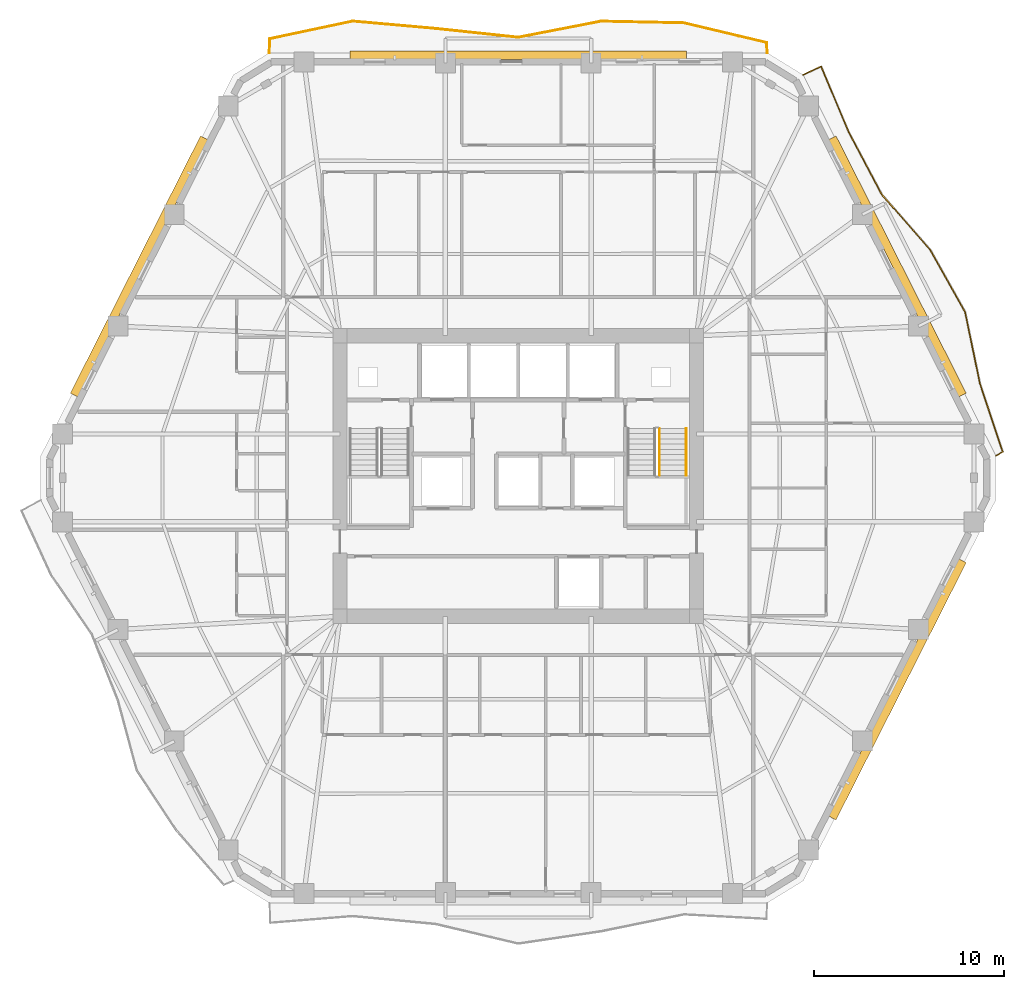
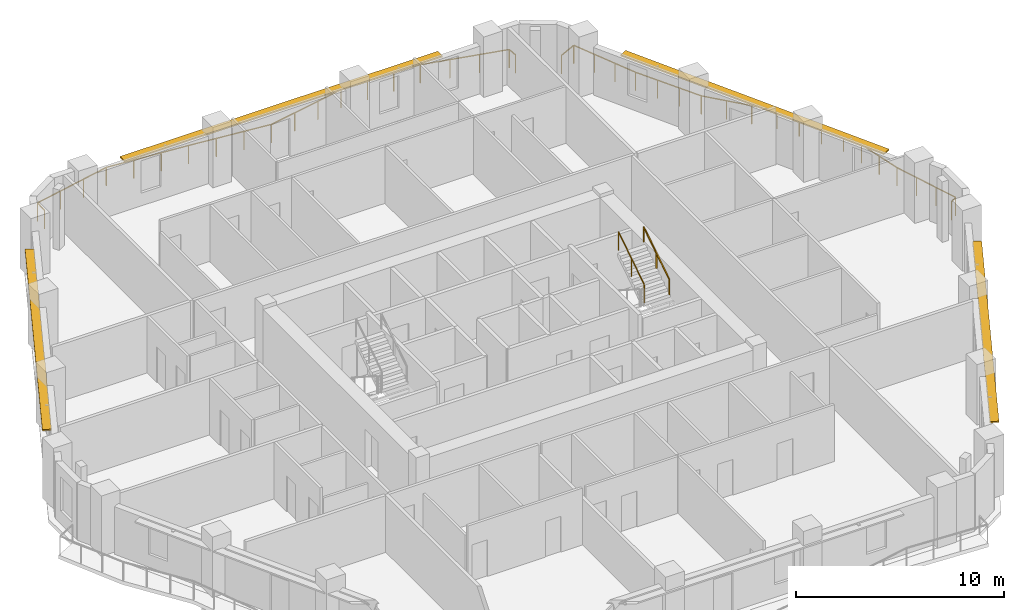
# One storey, part 12 of 12: 4 railings, 4 shading devices.
"""IFC4 building model written with IfcOpenShell, lengths in metres."""

from ifc_helpers import new_model, si_unit, direction, frame, origin, origin_2d, place, context, subcontext, project, spatial, rectangle, extrude, material, layer, layer_set, type_object, element, save


model = new_model("IFC4")

# Units and contexts
model_context = context("Model", 3, precision=1e-05, world=origin(), true_north=direction((0.0, 1.0)))
body_context = subcontext(model_context, "Body", "Model", "MODEL_VIEW")
ifc_project = project(units=[si_unit("LENGTHUNIT", "METRE"), si_unit("AREAUNIT", "SQUARE_METRE"), si_unit("VOLUMEUNIT", "CUBIC_METRE"), si_unit("PLANEANGLEUNIT", "RADIAN"), si_unit("MASSUNIT", "GRAM", prefix="KILO")], contexts=[model_context])

# Site, building, storey
site_placement = place(None, origin())
site = spatial("IfcSite", under=ifc_project, at=site_placement, CompositionType="ELEMENT")
building_placement = place(site_placement, origin())
building = spatial("IfcBuilding", under=site, at=building_placement, Name="Cinnabar Lancet Tower", CompositionType="ELEMENT")
storey_placement = place(building_placement, frame((0.0, 0.0, 112.60009765625)))
storey = spatial("IfcBuildingStorey", under=building, at=storey_placement, Name="L29", CompositionType="ELEMENT", Elevation=112.60009765625)

# Railings
ifc_material_1 = material(Name="Laminated safety glass and bronze stainless steel balustrade", Category="steel")
railing_type_1 = type_object("IfcRailingType", Name="ENV-RLG-BAL-1100", PredefinedType="BALUSTRADE", material=ifc_material_1)
railing_1_placement = place(storey_placement, frame((57.512939453125, 26.9599609375, 0.0)))
element("IfcRailing", 1, at=railing_1_placement, inside=storey, type_object=railing_type_1, Name="L29 Face 3 Wave Balcony Balustrade", PredefinedType="BALUSTRADE", context=body_context, shape_type="SweptSolid", body=[
    extrude(rectangle(XDim=0.048095703125, YDim=0.048095703125, at=origin_2d()), frame((0.0, 0.0, 1.076171875), z_axis=(0.859676249341, 0.51083925683, 0.0), x_axis=(-0.51083925683, 0.859676249341, 0.0)), (0.0, 0.0, 1.0), 0.412841796875),
    extrude(rectangle(XDim=0.048095703125, YDim=0.048095703125, at=origin_2d()), frame((0.35498046875, 0.2109375, 1.076171875), z_axis=(-0.316732525846, 0.948514895545, 0.0), x_axis=(-0.948514895545, -0.316732525846, 0.0)), (0.0, 0.0, 1.0), 3.7724609375),
    extrude(rectangle(XDim=0.048095703125, YDim=0.048095703125, at=origin_2d()), frame((-0.83984375, 3.7890625, 1.076171875), z_axis=(-0.203169603881, 0.979143560495, 0.0), x_axis=(-0.979143560495, -0.203169603881, 0.0)), (0.0, 0.0, 1.0), 3.864501953125),
    extrude(rectangle(XDim=0.048095703125, YDim=0.048095703125, at=origin_2d()), frame((-1.625, 7.572998046875, 1.076171875), z_axis=(-0.489512952447, 0.871996026016, 0.0), x_axis=(-0.871996026016, -0.489512952447, 0.0)), (0.0, 0.0, 1.0), 3.734130859375),
    extrude(rectangle(XDim=0.048095703125, YDim=0.048095703125, at=origin_2d()), frame((-3.452880859375, 10.8291015625, 1.076171875), z_axis=(-0.659249250359, 0.751924481515, 0.0), x_axis=(-0.751924481515, -0.659249250359, 0.0)), (0.0, 0.0, 1.0), 3.8515625),
    extrude(rectangle(XDim=0.048095703125, YDim=0.048095703125, at=origin_2d()), frame((-5.991943359375, 13.72509765625, 1.076171875), z_axis=(-0.468957497926, 0.883220734097, 0.0), x_axis=(-0.883220734097, -0.468957497926, 0.0)), (0.0, 0.0, 1.0), 3.731689453125),
    extrude(rectangle(XDim=0.048095703125, YDim=0.048095703125, at=origin_2d()), frame((-7.741943359375, 17.02099609375, 1.076171875), z_axis=(-0.38657815849, 0.922256649409, 0.0), x_axis=(-0.922256649409, -0.38657815849, 0.0)), (0.0, 0.0, 1.0), 3.7431640625),
    extrude(rectangle(XDim=0.048095703125, YDim=0.048095703125, at=origin_2d()), frame((-9.18896484375, 20.47314453125, 1.076171875), z_axis=(-0.905416796259, -0.424523762648, 0.0), x_axis=(0.424523762648, -0.905416796259, 0.0)), (0.0, 0.0, 1.0), 1.043701171875),
    extrude(rectangle(XDim=0.0419921875, YDim=0.0419921875, at=origin_2d()), origin(), (0.0, 0.0, 1.0), 1.052001953125),
    extrude(rectangle(XDim=0.0419921875, YDim=0.0419921875, at=origin_2d()), frame((0.35498046875, 0.2109375, 0.0)), (0.0, 0.0, 1.0), 1.052001953125),
    extrude(rectangle(XDim=0.0419921875, YDim=0.0419921875, at=origin_2d()), frame((-0.043212890625, 1.403564453125, 0.0)), (0.0, 0.0, 1.0), 1.052001953125),
    extrude(rectangle(XDim=0.0419921875, YDim=0.0419921875, at=origin_2d()), frame((-0.441650390625, 2.596435546875, 0.0)), (0.0, 0.0, 1.0), 1.052001953125),
    extrude(rectangle(XDim=0.0419921875, YDim=0.0419921875, at=origin_2d()), frame((-0.83984375, 3.7890625, 0.0)), (0.0, 0.0, 1.0), 1.052001953125),
    extrude(rectangle(XDim=0.0419921875, YDim=0.0419921875, at=origin_2d()), frame((-1.1015625, 5.05029296875, 0.0)), (0.0, 0.0, 1.0), 1.052001953125),
    extrude(rectangle(XDim=0.0419921875, YDim=0.0419921875, at=origin_2d()), frame((-1.36328125, 6.311767578125, 0.0)), (0.0, 0.0, 1.0), 1.052001953125),
    extrude(rectangle(XDim=0.0419921875, YDim=0.0419921875, at=origin_2d()), frame((-1.625, 7.572998046875, 0.0)), (0.0, 0.0, 1.0), 1.052001953125),
    extrude(rectangle(XDim=0.0419921875, YDim=0.0419921875, at=origin_2d()), frame((-2.234375, 8.658447265625, 0.0)), (0.0, 0.0, 1.0), 1.052001953125),
    extrude(rectangle(XDim=0.0419921875, YDim=0.0419921875, at=origin_2d()), frame((-2.843505859375, 9.74365234375, 0.0)), (0.0, 0.0, 1.0), 1.052001953125),
    extrude(rectangle(XDim=0.0419921875, YDim=0.0419921875, at=origin_2d()), frame((-3.452880859375, 10.8291015625, 0.0)), (0.0, 0.0, 1.0), 1.052001953125),
    extrude(rectangle(XDim=0.0419921875, YDim=0.0419921875, at=origin_2d()), frame((-4.29931640625, 11.79443359375, 0.0)), (0.0, 0.0, 1.0), 1.052001953125),
    extrude(rectangle(XDim=0.0419921875, YDim=0.0419921875, at=origin_2d()), frame((-5.1455078125, 12.759765625, 0.0)), (0.0, 0.0, 1.0), 1.052001953125),
    extrude(rectangle(XDim=0.0419921875, YDim=0.0419921875, at=origin_2d()), frame((-5.991943359375, 13.72509765625, 0.0)), (0.0, 0.0, 1.0), 1.052001953125),
    extrude(rectangle(XDim=0.0419921875, YDim=0.0419921875, at=origin_2d()), frame((-6.5751953125, 14.82373046875, 0.0)), (0.0, 0.0, 1.0), 1.052001953125),
    extrude(rectangle(XDim=0.0419921875, YDim=0.0419921875, at=origin_2d()), frame((-7.15869140625, 15.92236328125, 0.0)), (0.0, 0.0, 1.0), 1.052001953125),
    extrude(rectangle(XDim=0.0419921875, YDim=0.0419921875, at=origin_2d()), frame((-7.741943359375, 17.02099609375, 0.0)), (0.0, 0.0, 1.0), 1.052001953125),
    extrude(rectangle(XDim=0.0419921875, YDim=0.0419921875, at=origin_2d()), frame((-8.224365234375, 18.171630859375, 0.0)), (0.0, 0.0, 1.0), 1.052001953125),
    extrude(rectangle(XDim=0.0419921875, YDim=0.0419921875, at=origin_2d()), frame((-8.70654296875, 19.322509765625, 0.0)), (0.0, 0.0, 1.0), 1.052001953125),
    extrude(rectangle(XDim=0.0419921875, YDim=0.0419921875, at=origin_2d()), frame((-9.18896484375, 20.47314453125, 0.0)), (0.0, 0.0, 1.0), 1.052001953125),
    extrude(rectangle(XDim=0.0419921875, YDim=0.0419921875, at=origin_2d()), frame((-10.134033203125, 20.030029296875, 0.0)), (0.0, 0.0, 1.0), 1.052001953125),
])
railing_2_placement = place(storey_placement, frame((45.491943359375, 48.14990234375, 0.0)))
element("IfcRailing", 2, at=railing_2_placement, inside=storey, type_object=railing_type_1, Name="L29 Face 4 Wave Balcony Balustrade", PredefinedType="BALUSTRADE", context=body_context, shape_type="SweptSolid", body=[
    extrude(rectangle(XDim=0.048095703125, YDim=0.048095703125, at=origin_2d()), frame((0.0, 0.0, 1.076171875), z_axis=(-0.065485568085, 0.997853516491, 0.0), x_axis=(-0.997853516491, -0.065485568085, 0.0)), (0.0, 0.0, 1.0), 0.533203125),
    extrude(rectangle(XDim=0.048095703125, YDim=0.048095703125, at=origin_2d()), frame((-0.034912109375, 0.531982421875, 1.076171875), z_axis=(-0.972723031134, 0.231969620212, 0.0), x_axis=(-0.231969620212, -0.972723031134, 0.0)), (0.0, 0.0, 1.0), 4.47509765625),
    extrude(rectangle(XDim=0.048095703125, YDim=0.048095703125, at=origin_2d()), frame((-4.387939453125, 1.570068359375, 1.076171875), z_axis=(-0.999800642623, 0.019966847794, 0.0), x_axis=(-0.019966847794, -0.999800642623, 0.0)), (0.0, 0.0, 1.0), 4.35302734375),
    extrude(rectangle(XDim=0.048095703125, YDim=0.048095703125, at=origin_2d()), frame((-8.739990234375, 1.656982421875, 1.076171875), z_axis=(-0.981668660283, -0.190595491599, 0.0), x_axis=(0.190595491599, -0.981668660283, 0.0)), (0.0, 0.0, 1.0), 4.433349609375),
    extrude(rectangle(XDim=0.048095703125, YDim=0.048095703125, at=origin_2d()), frame((-13.092041015625, 0.81201171875, 1.076171875), z_axis=(-0.994429055991, 0.10540802911, 0.0), x_axis=(-0.10540802911, -0.994429055991, 0.0)), (0.0, 0.0, 1.0), 4.375244140625),
    extrude(rectangle(XDim=0.048095703125, YDim=0.048095703125, at=origin_2d()), frame((-17.44287109375, 1.273193359375, 1.076171875), z_axis=(-0.996072093246, 0.088545948839, 0.0), x_axis=(-0.088545948839, -0.996072093246, 0.0)), (0.0, 0.0, 1.0), 4.3701171875),
    extrude(rectangle(XDim=0.048095703125, YDim=0.048095703125, at=origin_2d()), frame((-21.7958984375, 1.66015625, 1.076171875), z_axis=(-0.978300547948, -0.207190824807, 0.0), x_axis=(0.207190824807, -0.978300547948, 0.0)), (0.0, 0.0, 1.0), 4.45068359375),
    extrude(rectangle(XDim=0.048095703125, YDim=0.048095703125, at=origin_2d()), frame((-26.14990234375, 0.738037109375, 1.076171875), z_axis=(-0.045932283573, -0.998944555682, 0.0), x_axis=(0.998944555682, -0.045932283573, 0.0)), (0.0, 0.0, 1.0), 0.73876953125),
    extrude(rectangle(XDim=0.0419921875, YDim=0.0419921875, at=origin_2d()), origin(), (0.0, 0.0, 1.0), 1.052001953125),
    extrude(rectangle(XDim=0.0419921875, YDim=0.0419921875, at=origin_2d()), frame((-0.034912109375, 0.531982421875, 0.0)), (0.0, 0.0, 1.0), 1.052001953125),
    extrude(rectangle(XDim=0.0419921875, YDim=0.0419921875, at=origin_2d()), frame((-1.48583984375, 0.8779296875, 0.0)), (0.0, 0.0, 1.0), 1.052001953125),
    extrude(rectangle(XDim=0.0419921875, YDim=0.0419921875, at=origin_2d()), frame((-2.93701171875, 1.22412109375, 0.0)), (0.0, 0.0, 1.0), 1.052001953125),
    extrude(rectangle(XDim=0.0419921875, YDim=0.0419921875, at=origin_2d()), frame((-4.387939453125, 1.570068359375, 0.0)), (0.0, 0.0, 1.0), 1.052001953125),
    extrude(rectangle(XDim=0.0419921875, YDim=0.0419921875, at=origin_2d()), frame((-5.838623046875, 1.59912109375, 0.0)), (0.0, 0.0, 1.0), 1.052001953125),
    extrude(rectangle(XDim=0.0419921875, YDim=0.0419921875, at=origin_2d()), frame((-7.289306640625, 1.6279296875, 0.0)), (0.0, 0.0, 1.0), 1.052001953125),
    extrude(rectangle(XDim=0.0419921875, YDim=0.0419921875, at=origin_2d()), frame((-8.739990234375, 1.656982421875, 0.0)), (0.0, 0.0, 1.0), 1.052001953125),
    extrude(rectangle(XDim=0.0419921875, YDim=0.0419921875, at=origin_2d()), frame((-10.190673828125, 1.375244140625, 0.0)), (0.0, 0.0, 1.0), 1.052001953125),
    extrude(rectangle(XDim=0.0419921875, YDim=0.0419921875, at=origin_2d()), frame((-11.641357421875, 1.09375, 0.0)), (0.0, 0.0, 1.0), 1.052001953125),
    extrude(rectangle(XDim=0.0419921875, YDim=0.0419921875, at=origin_2d()), frame((-13.092041015625, 0.81201171875, 0.0)), (0.0, 0.0, 1.0), 1.052001953125),
    extrude(rectangle(XDim=0.0419921875, YDim=0.0419921875, at=origin_2d()), frame((-14.542236328125, 0.9658203125, 0.0)), (0.0, 0.0, 1.0), 1.052001953125),
    extrude(rectangle(XDim=0.0419921875, YDim=0.0419921875, at=origin_2d()), frame((-15.99267578125, 1.119384765625, 0.0)), (0.0, 0.0, 1.0), 1.052001953125),
    extrude(rectangle(XDim=0.0419921875, YDim=0.0419921875, at=origin_2d()), frame((-17.44287109375, 1.273193359375, 0.0)), (0.0, 0.0, 1.0), 1.052001953125),
    extrude(rectangle(XDim=0.0419921875, YDim=0.0419921875, at=origin_2d()), frame((-18.893798828125, 1.402099609375, 0.0)), (0.0, 0.0, 1.0), 1.052001953125),
    extrude(rectangle(XDim=0.0419921875, YDim=0.0419921875, at=origin_2d()), frame((-20.344970703125, 1.53125, 0.0)), (0.0, 0.0, 1.0), 1.052001953125),
    extrude(rectangle(XDim=0.0419921875, YDim=0.0419921875, at=origin_2d()), frame((-21.7958984375, 1.66015625, 0.0)), (0.0, 0.0, 1.0), 1.052001953125),
    extrude(rectangle(XDim=0.0419921875, YDim=0.0419921875, at=origin_2d()), frame((-23.247314453125, 1.352783203125, 0.0)), (0.0, 0.0, 1.0), 1.052001953125),
    extrude(rectangle(XDim=0.0419921875, YDim=0.0419921875, at=origin_2d()), frame((-24.698486328125, 1.04541015625, 0.0)), (0.0, 0.0, 1.0), 1.052001953125),
    extrude(rectangle(XDim=0.0419921875, YDim=0.0419921875, at=origin_2d()), frame((-26.14990234375, 0.738037109375, 0.0)), (0.0, 0.0, 1.0), 1.052001953125),
    extrude(rectangle(XDim=0.0419921875, YDim=0.0419921875, at=origin_2d()), frame((-26.183837890625, 0.0, 0.0)), (0.0, 0.0, 1.0), 1.052001953125),
])

# Shading devices
ifc_material_2 = material(Name="Pale limestone architectural aluminium sunshade", Category="masonry")
ifc_layer = layer(ifc_material_2, 0.080078125)
ifc_layer_set = layer_set([ifc_layer], Name="Pale limestone architectural aluminium sunshade")
shading_device_type = type_object("IfcShadingDeviceType", Name="ENV-SHD-LVR-450", PredefinedType="JALOUSIE", material=ifc_layer_set)
for number, where, z_axis, x_axis, name in (
    (3, (52.327880859375, 14.680908203125, 2.639892578125), (0.0, 0.0, 1.0), (0.451453853408, 0.892294468347, 0.0), "L29 Face 2 Horizontal Sunshade Canopy"),
    (4, (52.327880859375, 36.9189453125, 2.639892578125), (0.0, 0.0, 1.0), (-0.451453853408, 0.892294468347, 0.0), "L29 Face 3 Horizontal Sunshade Canopy"),
):
    element("IfcShadingDevice", number, at=place(storey_placement, frame(where, z_axis=z_axis, x_axis=x_axis)), inside=storey, type_object=shading_device_type, Name=name, PredefinedType="JALOUSIE", context=body_context, shape_type="SweptSolid", body=[
        extrude(rectangle(XDim=15.156982421875, YDim=0.449951171875, at=origin_2d()), origin(), (0.0, 0.0, 1.0), 0.080078125),
    ])
shading_device_1_placement = place(storey_placement, frame((32.39990234375, 48.02001953125, 2.639892578125), z_axis=(0.0, 0.0, 1.0), x_axis=(-1.0, 0.0, 0.0)))
element("IfcShadingDevice", 5, at=shading_device_1_placement, inside=storey, type_object=shading_device_type, Name="L29 Face 4 Horizontal Sunshade Canopy", PredefinedType="JALOUSIE", context=body_context, shape_type="SweptSolid", body=[
    extrude(rectangle(XDim=17.68310546875, YDim=0.449951171875, at=origin_2d()), origin(), (0.0, 0.0, 1.0), 0.080078125),
])
shading_device_2_placement = place(storey_placement, frame((12.471923828125, 36.9189453125, 2.639892578125), z_axis=(0.0, 0.0, 1.0), x_axis=(-0.451453853408, -0.892294468347, 0.0)))
element("IfcShadingDevice", 6, at=shading_device_2_placement, inside=storey, type_object=shading_device_type, Name="L29 Face 5 Horizontal Sunshade Canopy", PredefinedType="JALOUSIE", context=body_context, shape_type="SweptSolid", body=[
    extrude(rectangle(XDim=15.156982421875, YDim=0.449951171875, at=origin_2d()), origin(), (0.0, 0.0, 1.0), 0.080078125),
])

# Railings
ifc_material_3 = material(Name="Painted galvanized steel balustrade", Category="steel")
railing_type_2 = type_object("IfcRailingType", Name="GUARD-STAIR", PredefinedType="GUARDRAIL", material=ifc_material_3)
railing_3_placement = place(storey_placement, frame((39.824951171875, 25.925048828125, 1.952392578125)))
element("IfcRailing", 7, at=railing_3_placement, inside=storey, type_object=railing_type_2, Name="L29 ST-2 stair guard 3", PredefinedType="GUARDRAIL", context=body_context, shape_type="SweptSolid", body=[
    extrude(rectangle(XDim=0.048095703125, YDim=0.048095703125, at=origin_2d()), frame((0.0, 0.0, 1.076171875), z_axis=(0.0, 0.840183358697, 0.542302428327), x_axis=(-1.0, 0.0, 0.0)), (0.0, 0.0, 1.0), 2.945556640625),
    extrude(rectangle(XDim=0.0419921875, YDim=0.0419921875, at=origin_2d()), origin(), (0.0, 0.0, 1.0), 1.052001953125),
    extrude(rectangle(XDim=0.0419921875, YDim=0.0419921875, at=origin_2d()), frame((0.0, 1.2373046875, 0.798828125)), (0.0, 0.0, 1.0), 1.052001953125),
    extrude(rectangle(XDim=0.0419921875, YDim=0.0419921875, at=origin_2d()), frame((0.0, 2.474853515625, 1.597412109375)), (0.0, 0.0, 1.0), 1.052001953125),
])
ifc_material_4 = material(Name="Brushed stainless steel handrail", Category="steel")
railing_type_3 = type_object("IfcRailingType", Name="HANDRAIL-STAIR", PredefinedType="HANDRAIL", material=ifc_material_4)
railing_4_placement = place(storey_placement, frame((41.22509765625, 25.925048828125, 1.952392578125)))
element("IfcRailing", 8, at=railing_4_placement, inside=storey, type_object=railing_type_3, Name="L29 ST-2 stair handrail 2", PredefinedType="HANDRAIL", context=body_context, shape_type="SweptSolid", body=[
    extrude(rectangle(XDim=0.048095703125, YDim=0.048095703125, at=origin_2d()), frame((0.0, 0.0, 0.8759765625), z_axis=(0.0, 0.840183358697, 0.542302428327), x_axis=(-1.0, 0.0, 0.0)), (0.0, 0.0, 1.0), 2.945556640625),
    extrude(rectangle(XDim=0.0419921875, YDim=0.0419921875, at=origin_2d()), origin(), (0.0, 0.0, 1.0), 0.851806640625),
    extrude(rectangle(XDim=0.0419921875, YDim=0.0419921875, at=origin_2d()), frame((0.0, 1.2373046875, 0.798828125)), (0.0, 0.0, 1.0), 0.851806640625),
    extrude(rectangle(XDim=0.0419921875, YDim=0.0419921875, at=origin_2d()), frame((0.0, 2.474853515625, 1.597412109375)), (0.0, 0.0, 1.0), 0.851806640625),
])

save(model, "model.ifc")
